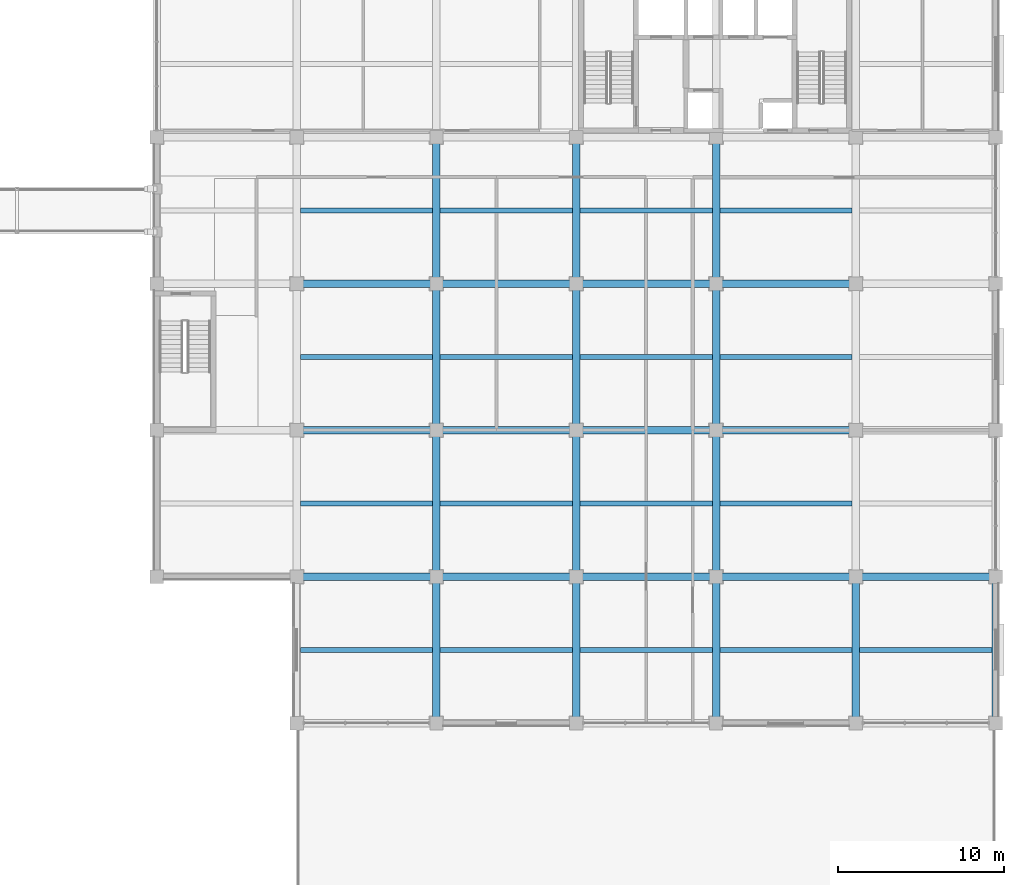
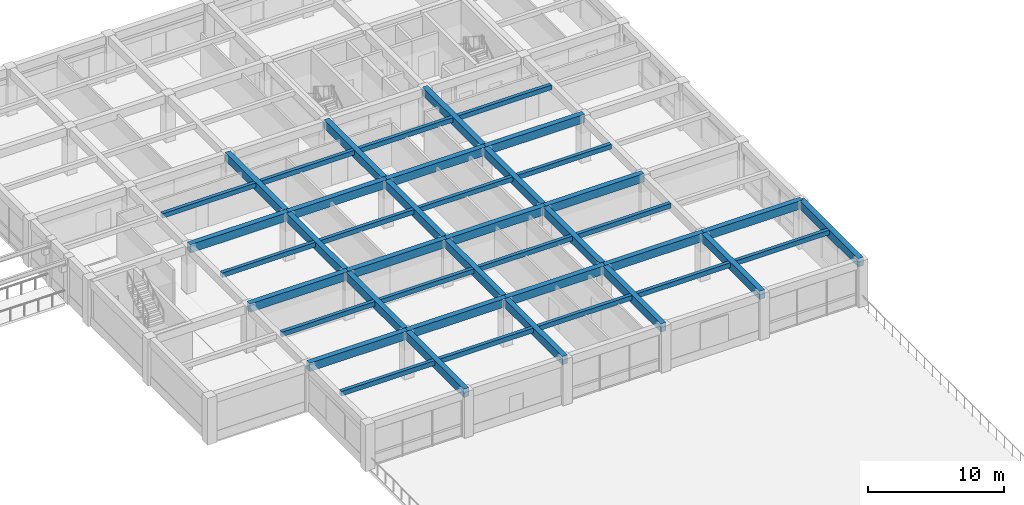
# One storey, part 25 of 57: 44 beams.
"""IFC4 building model written with IfcOpenShell, lengths in metres."""

from ifc_helpers import new_model, si_unit, direction, frame, origin, origin_2d, place, context, subcontext, project, spatial, rectangle, extrude, material, material_profile, profile_set, type_object, element, save


model = new_model("IFC4")

# Units and contexts
model_context = context("Model", 3, precision=1e-05, world=origin(), true_north=direction((0.0, 1.0)))
body_context = subcontext(model_context, "Body", "Model", "MODEL_VIEW")
ifc_project = project(units=[si_unit("LENGTHUNIT", "METRE"), si_unit("AREAUNIT", "SQUARE_METRE"), si_unit("VOLUMEUNIT", "CUBIC_METRE"), si_unit("PLANEANGLEUNIT", "RADIAN"), si_unit("MASSUNIT", "GRAM", prefix="KILO")], contexts=[model_context])

# Site, building, storey
site_placement = place(None, origin())
site = spatial("IfcSite", under=ifc_project, at=site_placement, CompositionType="ELEMENT")
building_placement = place(site_placement, origin())
building = spatial("IfcBuilding", under=site, at=building_placement, Name="Kemercrest Conservatory and Botanical Centre", CompositionType="ELEMENT")
storey_placement = place(building_placement, frame((0.0, 0.0, 4.800048828125)))
storey = spatial("IfcBuildingStorey", under=building, at=storey_placement, Name="L01", CompositionType="ELEMENT", Elevation=4.800048828125)

# Beams
ifc_material = material(Name="Concrete C40/50", Category="concrete")
ifc_material_profile_1 = material_profile(ifc_material, rectangle(XDim=0.449951171875, YDim=0.75, at=origin_2d()), Name="RC 450x750")
ifc_profile_set_1 = profile_set([ifc_material_profile_1], Name="Concrete C40/50")
beam_type_1 = type_object("IfcBeamType", Name="BM-RC75", PredefinedType="BEAM", material=ifc_profile_set_1)
beam_1_placement = place(storey_placement, frame((134.0, 78.39990234375, 3.824951171875), z_axis=(1.0, 0.0, 0.0), x_axis=(0.0, 1.0, 0.0)))
element("IfcBeam", 1, at=beam_1_placement, inside=storey, type_object=beam_type_1, Name="V4-L02 beam BM-RC75 J/16-17", PredefinedType="BEAM", context=body_context, shape_type="SweptSolid", body=[
    extrude(rectangle(XDim=0.449951171875, YDim=0.75, at=origin_2d()), origin(), (0.0, 0.0, 1.0), 8.39990234375),
])
beam_2_placement = place(storey_placement, frame((142.39990234375, 78.39990234375, 3.824951171875), z_axis=(1.0, 0.0, 0.0), x_axis=(0.0, 1.0, 0.0)))
element("IfcBeam", 2, at=beam_2_placement, inside=storey, type_object=beam_type_1, Name="V4-L02 beam BM-RC75 J/17-18", PredefinedType="BEAM", context=body_context, shape_type="SweptSolid", body=[
    extrude(rectangle(XDim=0.449951171875, YDim=0.75, at=origin_2d()), origin(), (0.0, 0.0, 1.0), 8.400146484375),
])
beam_3_placement = place(storey_placement, frame((150.800048828125, 78.39990234375, 3.824951171875), z_axis=(1.0, 0.0, 0.0), x_axis=(0.0, 1.0, 0.0)))
element("IfcBeam", 3, at=beam_3_placement, inside=storey, type_object=beam_type_1, Name="V4-L02 beam BM-RC75 J/18-19", PredefinedType="BEAM", context=body_context, shape_type="SweptSolid", body=[
    extrude(rectangle(XDim=0.449951171875, YDim=0.75, at=origin_2d()), origin(), (0.0, 0.0, 1.0), 8.39990234375),
])
beam_4_placement = place(storey_placement, frame((159.199951171875, 78.39990234375, 3.824951171875), z_axis=(1.0, 0.0, 0.0), x_axis=(0.0, 1.0, 0.0)))
element("IfcBeam", 4, at=beam_4_placement, inside=storey, type_object=beam_type_1, Name="V4-L02 beam BM-RC75 J/19-20", PredefinedType="BEAM", context=body_context, shape_type="SweptSolid", body=[
    extrude(rectangle(XDim=0.449951171875, YDim=0.75, at=origin_2d()), origin(), (0.0, 0.0, 1.0), 8.400146484375),
])
for number, where, z_axis, x_axis, name in (
    (5, (167.60009765625, 78.39990234375, 3.824951171875), (1.0, 0.0, 0.0), (0.0, 1.0, 0.0), "V4-L02 beam BM-RC75 J/20-21"),
    (6, (134.0, 87.199951171875, 3.824951171875), (1.0, 0.0, 0.0), (0.0, 1.0, 0.0), "V4-L02 beam BM-RC75 K/16-17"),
):
    element("IfcBeam", number, at=place(storey_placement, frame(where, z_axis=z_axis, x_axis=x_axis)), inside=storey, type_object=beam_type_1, Name=name, PredefinedType="BEAM", context=body_context, shape_type="SweptSolid", body=[
        extrude(rectangle(XDim=0.449951171875, YDim=0.75, at=origin_2d()), origin(), (0.0, 0.0, 1.0), 8.39990234375),
    ])
beam_5_placement = place(storey_placement, frame((142.39990234375, 87.199951171875, 3.824951171875), z_axis=(1.0, 0.0, 0.0), x_axis=(0.0, 1.0, 0.0)))
element("IfcBeam", 7, at=beam_5_placement, inside=storey, type_object=beam_type_1, Name="V4-L02 beam BM-RC75 K/17-18", PredefinedType="BEAM", context=body_context, shape_type="SweptSolid", body=[
    extrude(rectangle(XDim=0.449951171875, YDim=0.75, at=origin_2d()), origin(), (0.0, 0.0, 1.0), 8.400146484375),
])
beam_6_placement = place(storey_placement, frame((150.800048828125, 87.199951171875, 3.824951171875), z_axis=(1.0, 0.0, 0.0), x_axis=(0.0, 1.0, 0.0)))
element("IfcBeam", 8, at=beam_6_placement, inside=storey, type_object=beam_type_1, Name="V4-L02 beam BM-RC75 K/18-19", PredefinedType="BEAM", context=body_context, shape_type="SweptSolid", body=[
    extrude(rectangle(XDim=0.449951171875, YDim=0.75, at=origin_2d()), origin(), (0.0, 0.0, 1.0), 8.39990234375),
])
beam_7_placement = place(storey_placement, frame((159.199951171875, 87.199951171875, 3.824951171875), z_axis=(1.0, 0.0, 0.0), x_axis=(0.0, 1.0, 0.0)))
element("IfcBeam", 9, at=beam_7_placement, inside=storey, type_object=beam_type_1, Name="V4-L02 beam BM-RC75 K/19-20", PredefinedType="BEAM", context=body_context, shape_type="SweptSolid", body=[
    extrude(rectangle(XDim=0.449951171875, YDim=0.75, at=origin_2d()), origin(), (0.0, 0.0, 1.0), 8.400146484375),
])
beam_8_placement = place(storey_placement, frame((134.0, 96.0, 3.824951171875), z_axis=(1.0, 0.0, 0.0), x_axis=(0.0, 1.0, 0.0)))
element("IfcBeam", 10, at=beam_8_placement, inside=storey, type_object=beam_type_1, Name="V4-L02 beam BM-RC75 L/16-17", PredefinedType="BEAM", context=body_context, shape_type="SweptSolid", body=[
    extrude(rectangle(XDim=0.449951171875, YDim=0.75, at=origin_2d()), origin(), (0.0, 0.0, 1.0), 8.39990234375),
])
beam_9_placement = place(storey_placement, frame((142.39990234375, 96.0, 3.824951171875), z_axis=(1.0, 0.0, 0.0), x_axis=(0.0, 1.0, 0.0)))
element("IfcBeam", 11, at=beam_9_placement, inside=storey, type_object=beam_type_1, Name="V4-L02 beam BM-RC75 L/17-18", PredefinedType="BEAM", context=body_context, shape_type="SweptSolid", body=[
    extrude(rectangle(XDim=0.449951171875, YDim=0.75, at=origin_2d()), origin(), (0.0, 0.0, 1.0), 8.400146484375),
])
beam_10_placement = place(storey_placement, frame((150.800048828125, 96.0, 3.824951171875), z_axis=(1.0, 0.0, 0.0), x_axis=(0.0, 1.0, 0.0)))
element("IfcBeam", 12, at=beam_10_placement, inside=storey, type_object=beam_type_1, Name="V4-L02 beam BM-RC75 L/18-19", PredefinedType="BEAM", context=body_context, shape_type="SweptSolid", body=[
    extrude(rectangle(XDim=0.449951171875, YDim=0.75, at=origin_2d()), origin(), (0.0, 0.0, 1.0), 8.39990234375),
])
beam_11_placement = place(storey_placement, frame((159.199951171875, 96.0, 3.824951171875), z_axis=(1.0, 0.0, 0.0), x_axis=(0.0, 1.0, 0.0)))
element("IfcBeam", 13, at=beam_11_placement, inside=storey, type_object=beam_type_1, Name="V4-L02 beam BM-RC75 L/19-20", PredefinedType="BEAM", context=body_context, shape_type="SweptSolid", body=[
    extrude(rectangle(XDim=0.449951171875, YDim=0.75, at=origin_2d()), origin(), (0.0, 0.0, 1.0), 8.400146484375),
])
beam_12_placement = place(storey_placement, frame((142.39990234375, 69.60009765625, 3.824951171875), z_axis=(0.0, 1.0, 0.0), x_axis=(-1.0, 0.0, 0.0)))
element("IfcBeam", 14, at=beam_12_placement, inside=storey, type_object=beam_type_1, Name="V4-L02 beam BM-RC75 17/H-J", PredefinedType="BEAM", context=body_context, shape_type="SweptSolid", body=[
    extrude(rectangle(XDim=0.449951171875, YDim=0.75, at=origin_2d()), origin(), (0.0, 0.0, 1.0), 8.7998046875),
])
for number, where, z_axis, x_axis, name in (
    (15, (142.39990234375, 78.39990234375, 3.824951171875), (0.0, 1.0, 0.0), (-1.0, 0.0, 0.0), "V4-L02 beam BM-RC75 17/J-K"),
    (16, (142.39990234375, 87.199951171875, 3.824951171875), (0.0, 1.0, 0.0), (-1.0, 0.0, 0.0), "V4-L02 beam BM-RC75 17/K-L"),
    (17, (142.39990234375, 96.0, 3.824951171875), (0.0, 1.0, 0.0), (-1.0, 0.0, 0.0), "V4-L02 beam BM-RC75 17/L-M"),
):
    element("IfcBeam", number, at=place(storey_placement, frame(where, z_axis=z_axis, x_axis=x_axis)), inside=storey, type_object=beam_type_1, Name=name, PredefinedType="BEAM", context=body_context, shape_type="SweptSolid", body=[
        extrude(rectangle(XDim=0.449951171875, YDim=0.75, at=origin_2d()), origin(), (0.0, 0.0, 1.0), 8.800048828125),
    ])
beam_13_placement = place(storey_placement, frame((150.800048828125, 69.60009765625, 3.824951171875), z_axis=(0.0, 1.0, 0.0), x_axis=(-1.0, 0.0, 0.0)))
element("IfcBeam", 18, at=beam_13_placement, inside=storey, type_object=beam_type_1, Name="V4-L02 beam BM-RC75 18/H-J", PredefinedType="BEAM", context=body_context, shape_type="SweptSolid", body=[
    extrude(rectangle(XDim=0.449951171875, YDim=0.75, at=origin_2d()), origin(), (0.0, 0.0, 1.0), 8.7998046875),
])
for number, where, z_axis, x_axis, name in (
    (19, (150.800048828125, 78.39990234375, 3.824951171875), (0.0, 1.0, 0.0), (-1.0, 0.0, 0.0), "V4-L02 beam BM-RC75 18/J-K"),
    (20, (150.800048828125, 87.199951171875, 3.824951171875), (0.0, 1.0, 0.0), (-1.0, 0.0, 0.0), "V4-L02 beam BM-RC75 18/K-L"),
    (21, (150.800048828125, 96.0, 3.824951171875), (0.0, 1.0, 0.0), (-1.0, 0.0, 0.0), "V4-L02 beam BM-RC75 18/L-M"),
):
    element("IfcBeam", number, at=place(storey_placement, frame(where, z_axis=z_axis, x_axis=x_axis)), inside=storey, type_object=beam_type_1, Name=name, PredefinedType="BEAM", context=body_context, shape_type="SweptSolid", body=[
        extrude(rectangle(XDim=0.449951171875, YDim=0.75, at=origin_2d()), origin(), (0.0, 0.0, 1.0), 8.800048828125),
    ])
beam_14_placement = place(storey_placement, frame((159.199951171875, 69.60009765625, 3.824951171875), z_axis=(0.0, 1.0, 0.0), x_axis=(-1.0, 0.0, 0.0)))
element("IfcBeam", 22, at=beam_14_placement, inside=storey, type_object=beam_type_1, Name="V4-L02 beam BM-RC75 19/H-J", PredefinedType="BEAM", context=body_context, shape_type="SweptSolid", body=[
    extrude(rectangle(XDim=0.449951171875, YDim=0.75, at=origin_2d()), origin(), (0.0, 0.0, 1.0), 8.7998046875),
])
for number, where, z_axis, x_axis, name in (
    (23, (159.199951171875, 78.39990234375, 3.824951171875), (0.0, 1.0, 0.0), (-1.0, 0.0, 0.0), "V4-L02 beam BM-RC75 19/J-K"),
    (24, (159.199951171875, 87.199951171875, 3.824951171875), (0.0, 1.0, 0.0), (-1.0, 0.0, 0.0), "V4-L02 beam BM-RC75 19/K-L"),
    (25, (159.199951171875, 96.0, 3.824951171875), (0.0, 1.0, 0.0), (-1.0, 0.0, 0.0), "V4-L02 beam BM-RC75 19/L-M"),
):
    element("IfcBeam", number, at=place(storey_placement, frame(where, z_axis=z_axis, x_axis=x_axis)), inside=storey, type_object=beam_type_1, Name=name, PredefinedType="BEAM", context=body_context, shape_type="SweptSolid", body=[
        extrude(rectangle(XDim=0.449951171875, YDim=0.75, at=origin_2d()), origin(), (0.0, 0.0, 1.0), 8.800048828125),
    ])
beam_15_placement = place(storey_placement, frame((167.60009765625, 69.60009765625, 3.824951171875), z_axis=(0.0, 1.0, 0.0), x_axis=(-1.0, 0.0, 0.0)))
element("IfcBeam", 26, at=beam_15_placement, inside=storey, type_object=beam_type_1, Name="V4-L02 beam BM-RC75 20/H-J", PredefinedType="BEAM", context=body_context, shape_type="SweptSolid", body=[
    extrude(rectangle(XDim=0.449951171875, YDim=0.75, at=origin_2d()), origin(), (0.0, 0.0, 1.0), 8.7998046875),
])
ifc_material_profile_2 = material_profile(ifc_material, rectangle(XDim=0.300048828125, YDim=0.419921875, at=origin_2d()), Name="RC 300x420")
ifc_profile_set_2 = profile_set([ifc_material_profile_2], Name="Concrete C40/50")
beam_type_2 = type_object("IfcBeamType", Name="JS-RC42", PredefinedType="JOIST", material=ifc_profile_set_2)
for number, where, z_axis, x_axis, name in (
    (27, (134.22509765625, 74.0, 3.989990234375), (1.0, 0.0, 0.0), (0.0, 1.0, 0.0), "V4-L02 secondary joist JS-RC42"),
    (28, (142.625, 74.0, 3.989990234375), (1.0, 0.0, 0.0), (0.0, 1.0, 0.0), "V4-L02 secondary joist JS-RC42"),
):
    element("IfcBeam", number, at=place(storey_placement, frame(where, z_axis=z_axis, x_axis=x_axis)), inside=storey, type_object=beam_type_2, Name=name, PredefinedType="JOIST", context=body_context, shape_type="SweptSolid", body=[
        extrude(rectangle(XDim=0.300048828125, YDim=0.419921875, at=origin_2d()), origin(), (0.0, 0.0, 1.0), 7.949951171875),
    ])
beam_16_placement = place(storey_placement, frame((151.02490234375, 74.0, 3.989990234375), z_axis=(1.0, 0.0, 0.0), x_axis=(0.0, 1.0, 0.0)))
element("IfcBeam", 29, at=beam_16_placement, inside=storey, type_object=beam_type_2, Name="V4-L02 secondary joist JS-RC42", PredefinedType="JOIST", context=body_context, shape_type="SweptSolid", body=[
    extrude(rectangle(XDim=0.300048828125, YDim=0.419921875, at=origin_2d()), origin(), (0.0, 0.0, 1.0), 7.9501953125),
])
for number, where, z_axis, x_axis, name in (
    (30, (159.425048828125, 74.0, 3.989990234375), (1.0, 0.0, 0.0), (0.0, 1.0, 0.0), "V4-L02 secondary joist JS-RC42"),
    (31, (167.824951171875, 74.0, 3.989990234375), (1.0, 0.0, 0.0), (0.0, 1.0, 0.0), "V4-L02 secondary joist JS-RC42"),
    (32, (134.22509765625, 82.800048828125, 3.989990234375), (1.0, 0.0, 0.0), (0.0, 1.0, 0.0), "V4-L02 secondary joist JS-RC42"),
    (33, (142.625, 82.800048828125, 3.989990234375), (1.0, 0.0, 0.0), (0.0, 1.0, 0.0), "V4-L02 secondary joist JS-RC42"),
):
    element("IfcBeam", number, at=place(storey_placement, frame(where, z_axis=z_axis, x_axis=x_axis)), inside=storey, type_object=beam_type_2, Name=name, PredefinedType="JOIST", context=body_context, shape_type="SweptSolid", body=[
        extrude(rectangle(XDim=0.300048828125, YDim=0.419921875, at=origin_2d()), origin(), (0.0, 0.0, 1.0), 7.949951171875),
    ])
beam_17_placement = place(storey_placement, frame((151.02490234375, 82.800048828125, 3.989990234375), z_axis=(1.0, 0.0, 0.0), x_axis=(0.0, 1.0, 0.0)))
element("IfcBeam", 34, at=beam_17_placement, inside=storey, type_object=beam_type_2, Name="V4-L02 secondary joist JS-RC42", PredefinedType="JOIST", context=body_context, shape_type="SweptSolid", body=[
    extrude(rectangle(XDim=0.300048828125, YDim=0.419921875, at=origin_2d()), origin(), (0.0, 0.0, 1.0), 7.9501953125),
])
for number, where, z_axis, x_axis, name in (
    (35, (159.425048828125, 82.800048828125, 3.989990234375), (1.0, 0.0, 0.0), (0.0, 1.0, 0.0), "V4-L02 secondary joist JS-RC42"),
    (36, (134.22509765625, 91.60009765625, 3.989990234375), (1.0, 0.0, 0.0), (0.0, 1.0, 0.0), "V4-L02 secondary joist JS-RC42"),
    (37, (142.625, 91.60009765625, 3.989990234375), (1.0, 0.0, 0.0), (0.0, 1.0, 0.0), "V4-L02 secondary joist JS-RC42"),
):
    element("IfcBeam", number, at=place(storey_placement, frame(where, z_axis=z_axis, x_axis=x_axis)), inside=storey, type_object=beam_type_2, Name=name, PredefinedType="JOIST", context=body_context, shape_type="SweptSolid", body=[
        extrude(rectangle(XDim=0.300048828125, YDim=0.419921875, at=origin_2d()), origin(), (0.0, 0.0, 1.0), 7.949951171875),
    ])
beam_18_placement = place(storey_placement, frame((151.02490234375, 91.60009765625, 3.989990234375), z_axis=(1.0, 0.0, 0.0), x_axis=(0.0, 1.0, 0.0)))
element("IfcBeam", 38, at=beam_18_placement, inside=storey, type_object=beam_type_2, Name="V4-L02 secondary joist JS-RC42", PredefinedType="JOIST", context=body_context, shape_type="SweptSolid", body=[
    extrude(rectangle(XDim=0.300048828125, YDim=0.419921875, at=origin_2d()), origin(), (0.0, 0.0, 1.0), 7.9501953125),
])
for number, where, z_axis, x_axis, name in (
    (39, (159.425048828125, 91.60009765625, 3.989990234375), (1.0, 0.0, 0.0), (0.0, 1.0, 0.0), "V4-L02 secondary joist JS-RC42"),
    (40, (134.22509765625, 100.39990234375, 3.989990234375), (1.0, 0.0, 0.0), (0.0, 1.0, 0.0), "V4-L02 secondary joist JS-RC42"),
    (41, (142.625, 100.39990234375, 3.989990234375), (1.0, 0.0, 0.0), (0.0, 1.0, 0.0), "V4-L02 secondary joist JS-RC42"),
):
    element("IfcBeam", number, at=place(storey_placement, frame(where, z_axis=z_axis, x_axis=x_axis)), inside=storey, type_object=beam_type_2, Name=name, PredefinedType="JOIST", context=body_context, shape_type="SweptSolid", body=[
        extrude(rectangle(XDim=0.300048828125, YDim=0.419921875, at=origin_2d()), origin(), (0.0, 0.0, 1.0), 7.949951171875),
    ])
beam_19_placement = place(storey_placement, frame((151.02490234375, 100.39990234375, 3.989990234375), z_axis=(1.0, 0.0, 0.0), x_axis=(0.0, 1.0, 0.0)))
element("IfcBeam", 42, at=beam_19_placement, inside=storey, type_object=beam_type_2, Name="V4-L02 secondary joist JS-RC42", PredefinedType="JOIST", context=body_context, shape_type="SweptSolid", body=[
    extrude(rectangle(XDim=0.300048828125, YDim=0.419921875, at=origin_2d()), origin(), (0.0, 0.0, 1.0), 7.9501953125),
])
beam_20_placement = place(storey_placement, frame((159.425048828125, 100.39990234375, 3.989990234375), z_axis=(1.0, 0.0, 0.0), x_axis=(0.0, 1.0, 0.0)))
element("IfcBeam", 43, at=beam_20_placement, inside=storey, type_object=beam_type_2, Name="V4-L02 secondary joist JS-RC42", PredefinedType="JOIST", context=body_context, shape_type="SweptSolid", body=[
    extrude(rectangle(XDim=0.300048828125, YDim=0.419921875, at=origin_2d()), origin(), (0.0, 0.0, 1.0), 7.949951171875),
])
ifc_material_profile_3 = material_profile(ifc_material, rectangle(XDim=0.449951171875, YDim=0.75, at=origin_2d()), Name="RC 450x750")
ifc_profile_set_3 = profile_set([ifc_material_profile_3], Name="Concrete C40/50")
beam_type_3 = type_object("IfcBeamType", Name="SP-RC75", PredefinedType="SPANDREL", material=ifc_profile_set_3)
beam_21_placement = place(storey_placement, frame((176.0, 69.60009765625, 3.824951171875), z_axis=(0.0, 1.0, 0.0), x_axis=(-1.0, 0.0, 0.0)))
element("IfcBeam", 44, at=beam_21_placement, inside=storey, type_object=beam_type_3, Name="V4-L02 beam SP-RC75 21/H-J", PredefinedType="SPANDREL", context=body_context, shape_type="SweptSolid", body=[
    extrude(rectangle(XDim=0.449951171875, YDim=0.75, at=origin_2d()), origin(), (0.0, 0.0, 1.0), 8.7998046875),
])

save(model, "model.ifc")
